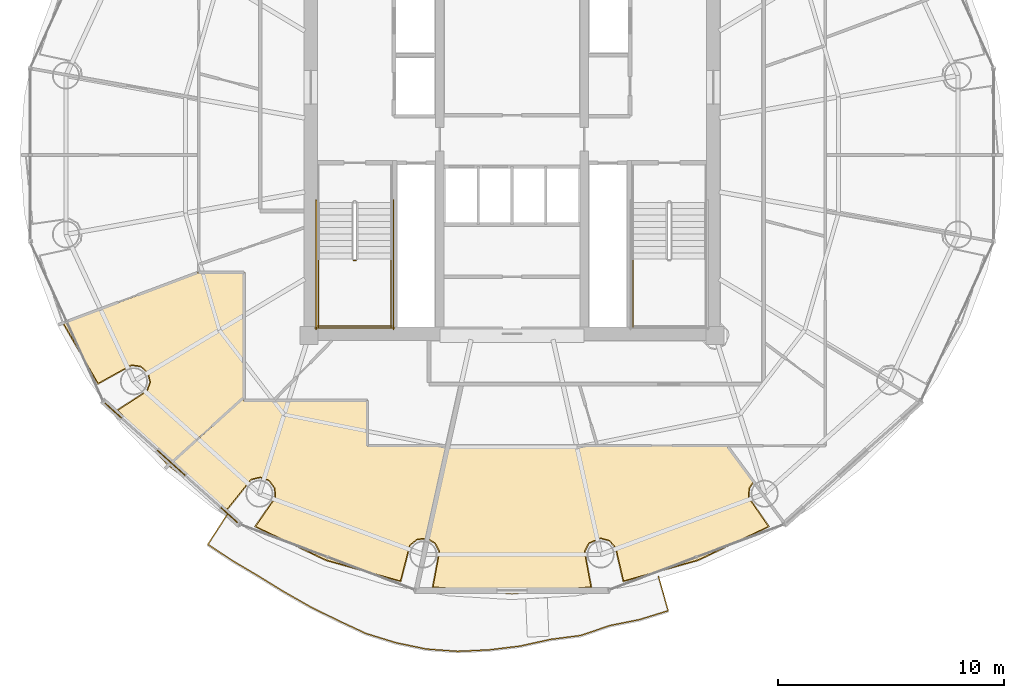
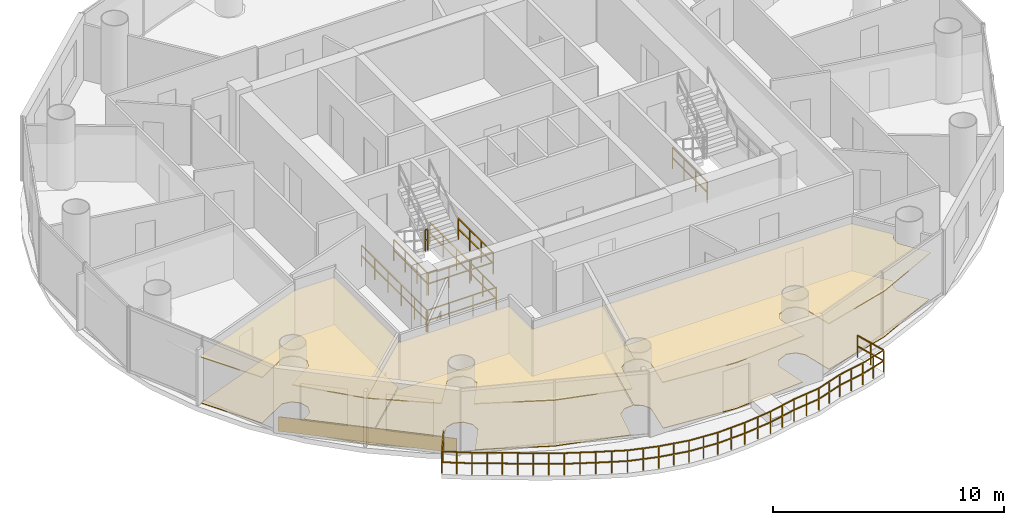
# One storey, part 24 of 26: 9 railings, 7 coverings.
"""IFC4 building model written with IfcOpenShell, lengths in metres."""

from ifc_helpers import new_model, si_unit, direction, frame, origin, origin_2d, place, context, subcontext, project, spatial, polyline, rectangle, outline, extrude, source, transform, mapped, material, layer, layer_set, type_object, element, save


model = new_model("IFC4")

# Units and contexts
model_context = context("Model", 3, precision=1e-05, world=origin(), true_north=direction((-0.2419218956, 0.970295726276)))
body_context = subcontext(model_context, "Body", "Model", "MODEL_VIEW")
ifc_project = project(units=[si_unit("LENGTHUNIT", "METRE"), si_unit("AREAUNIT", "SQUARE_METRE"), si_unit("VOLUMEUNIT", "CUBIC_METRE"), si_unit("PLANEANGLEUNIT", "RADIAN"), si_unit("MASSUNIT", "GRAM", prefix="KILO")], contexts=[model_context])

# Site, building, storey
site_placement = place(None, origin())
site = spatial("IfcSite", under=ifc_project, at=site_placement, CompositionType="ELEMENT")
building_placement = place(site_placement, origin())
building = spatial("IfcBuilding", under=site, at=building_placement, Name="Cobrevalo Terracotta Tower", CompositionType="ELEMENT")
storey_placement = place(building_placement, frame((0.0, 0.0, 224.5)))
storey = spatial("IfcBuildingStorey", under=building, at=storey_placement, Name="L59", CompositionType="ELEMENT", Elevation=224.5)

# Railing
ifc_material_1 = material(Name="Laminated structural glass and stainless steel", Category="steel")
railing_type_1 = type_object("IfcRailingType", Name="Balcony lobe structural glass & terracotta-cap balustrade 1180 mm", PredefinedType="BALUSTRADE", material=ifc_material_1)
railing_1_placement = place(storey_placement, frame((25.388671875, 10.876953125, 0.0)))
element("IfcRailing", 1, at=railing_1_placement, inside=storey, type_object=railing_type_1, Name="L59 spiralling balcony lobe balustrade 2", PredefinedType="BALUSTRADE", context=body_context, shape_type="SweptSolid", body=[
    extrude(rectangle(XDim=0.048095703125, YDim=0.048095703125, at=origin_2d()), frame((0.0, 0.0, 1.15576171875), z_axis=(-0.54343616845, -0.83945049337, 0.0), x_axis=(0.83945049337, -0.54343616845, 0.0)), (0.0, 0.0, 1.0), 1.587646484375),
    extrude(rectangle(XDim=0.048095703125, YDim=0.048095703125, at=origin_2d()), frame((0.0, 0.0, 0.58984375), z_axis=(-0.54343616845, -0.83945049337, 0.0), x_axis=(0.83945049337, -0.54343616845, 0.0)), (0.0, 0.0, 1.0), 1.587646484375),
    extrude(rectangle(XDim=0.048095703125, YDim=0.048095703125, at=origin_2d()), frame((-0.86279296875, -1.332763671875, 1.15576171875), z_axis=(0.833396558679, -0.552675470762, 0.0), x_axis=(0.552675470762, 0.833396558679, 0.0)), (0.0, 0.0, 1.0), 1.308837890625),
    extrude(rectangle(XDim=0.048095703125, YDim=0.048095703125, at=origin_2d()), frame((-0.86279296875, -1.332763671875, 0.58984375), z_axis=(0.833396558679, -0.552675470762, 0.0), x_axis=(0.552675470762, 0.833396558679, 0.0)), (0.0, 0.0, 1.0), 1.308837890625),
    extrude(rectangle(XDim=0.048095703125, YDim=0.048095703125, at=origin_2d()), frame((0.22802734375, -2.05615234375, 1.15576171875), z_axis=(0.861211465936, -0.50824680121, 0.0), x_axis=(0.50824680121, 0.861211465936, 0.0)), (0.0, 0.0, 1.0), 1.312744140625),
    extrude(rectangle(XDim=0.048095703125, YDim=0.048095703125, at=origin_2d()), frame((0.22802734375, -2.05615234375, 0.58984375), z_axis=(0.861211465936, -0.50824680121, 0.0), x_axis=(0.50824680121, 0.861211465936, 0.0)), (0.0, 0.0, 1.0), 1.312744140625),
    extrude(rectangle(XDim=0.048095703125, YDim=0.048095703125, at=origin_2d()), frame((1.358642578125, -2.723388671875, 1.15576171875), z_axis=(0.851062059174, -0.525065111615, 0.0), x_axis=(0.525065111615, 0.851062059174, 0.0)), (0.0, 0.0, 1.0), 1.3369140625),
    extrude(rectangle(XDim=0.048095703125, YDim=0.048095703125, at=origin_2d()), frame((1.358642578125, -2.723388671875, 0.58984375), z_axis=(0.851062059174, -0.525065111615, 0.0), x_axis=(0.525065111615, 0.851062059174, 0.0)), (0.0, 0.0, 1.0), 1.3369140625),
    extrude(rectangle(XDim=0.048095703125, YDim=0.048095703125, at=origin_2d()), frame((2.496337890625, -3.42529296875, 1.15576171875), z_axis=(0.869467171083, -0.493990727047, 0.0), x_axis=(0.493990727047, 0.869467171083, 0.0)), (0.0, 0.0, 1.0), 1.34716796875),
    extrude(rectangle(XDim=0.048095703125, YDim=0.048095703125, at=origin_2d()), frame((2.496337890625, -3.42529296875, 0.58984375), z_axis=(0.869467171083, -0.493990727047, 0.0), x_axis=(0.493990727047, 0.869467171083, 0.0)), (0.0, 0.0, 1.0), 1.34716796875),
    extrude(rectangle(XDim=0.048095703125, YDim=0.048095703125, at=origin_2d()), frame((3.667724609375, -4.0908203125, 1.15576171875), z_axis=(0.896348799978, -0.44334955597, 0.0), x_axis=(0.44334955597, 0.896348799978, 0.0)), (0.0, 0.0, 1.0), 1.3662109375),
    extrude(rectangle(XDim=0.048095703125, YDim=0.048095703125, at=origin_2d()), frame((3.667724609375, -4.0908203125, 0.58984375), z_axis=(0.896348799978, -0.44334955597, 0.0), x_axis=(0.44334955597, 0.896348799978, 0.0)), (0.0, 0.0, 1.0), 1.3662109375),
    extrude(rectangle(XDim=0.048095703125, YDim=0.048095703125, at=origin_2d()), frame((4.892333984375, -4.696533203125, 1.15576171875), z_axis=(0.906309377136, -0.422614851746, 0.0), x_axis=(0.422614851746, 0.906309377136, 0.0)), (0.0, 0.0, 1.0), 1.383056640625),
    extrude(rectangle(XDim=0.048095703125, YDim=0.048095703125, at=origin_2d()), frame((4.892333984375, -4.696533203125, 0.58984375), z_axis=(0.906309377136, -0.422614851746, 0.0), x_axis=(0.422614851746, 0.906309377136, 0.0)), (0.0, 0.0, 1.0), 1.383056640625),
    extrude(rectangle(XDim=0.048095703125, YDim=0.048095703125, at=origin_2d()), frame((6.145751953125, -5.281005859375, 1.15576171875), z_axis=(0.955580125331, -0.294731443982, 0.0), x_axis=(0.294731443982, 0.955580125331, 0.0)), (0.0, 0.0, 1.0), 1.381591796875),
    extrude(rectangle(XDim=0.048095703125, YDim=0.048095703125, at=origin_2d()), frame((6.145751953125, -5.281005859375, 0.58984375), z_axis=(0.955580125331, -0.294731443982, 0.0), x_axis=(0.294731443982, 0.955580125331, 0.0)), (0.0, 0.0, 1.0), 1.381591796875),
    extrude(rectangle(XDim=0.048095703125, YDim=0.048095703125, at=origin_2d()), frame((7.466064453125, -5.688232421875, 1.15576171875), z_axis=(0.979033162565, -0.203700924393, 0.0), x_axis=(0.203700924393, 0.979033162565, 0.0)), (0.0, 0.0, 1.0), 1.385498046875),
    extrude(rectangle(XDim=0.048095703125, YDim=0.048095703125, at=origin_2d()), frame((7.466064453125, -5.688232421875, 0.58984375), z_axis=(0.979033162565, -0.203700924393, 0.0), x_axis=(0.203700924393, 0.979033162565, 0.0)), (0.0, 0.0, 1.0), 1.385498046875),
    extrude(rectangle(XDim=0.048095703125, YDim=0.048095703125, at=origin_2d()), frame((8.822509765625, -5.970458984375, 1.15576171875), z_axis=(0.997397487821, -0.072098899349, 0.0), x_axis=(0.072098899349, 0.997397487821, 0.0)), (0.0, 0.0, 1.0), 1.385009765625),
    extrude(rectangle(XDim=0.048095703125, YDim=0.048095703125, at=origin_2d()), frame((8.822509765625, -5.970458984375, 0.58984375), z_axis=(0.997397487821, -0.072098899349, 0.0), x_axis=(0.072098899349, 0.997397487821, 0.0)), (0.0, 0.0, 1.0), 1.385009765625),
    extrude(rectangle(XDim=0.048095703125, YDim=0.048095703125, at=origin_2d()), frame((10.203857421875, -6.0703125, 1.15576171875), z_axis=(0.99890868524, 0.046705872785, 0.0), x_axis=(-0.046705872785, 0.99890868524, 0.0)), (0.0, 0.0, 1.0), 1.390380859375),
    extrude(rectangle(XDim=0.048095703125, YDim=0.048095703125, at=origin_2d()), frame((10.203857421875, -6.0703125, 0.58984375), z_axis=(0.99890868524, 0.046705872785, 0.0), x_axis=(-0.046705872785, 0.99890868524, 0.0)), (0.0, 0.0, 1.0), 1.390380859375),
    extrude(rectangle(XDim=0.048095703125, YDim=0.048095703125, at=origin_2d()), frame((11.5927734375, -6.00537109375, 1.15576171875), z_axis=(0.992663972175, 0.120905906995, 0.0), x_axis=(-0.120905906995, 0.992663972175, 0.0)), (0.0, 0.0, 1.0), 1.38330078125),
    extrude(rectangle(XDim=0.048095703125, YDim=0.048095703125, at=origin_2d()), frame((11.5927734375, -6.00537109375, 0.58984375), z_axis=(0.992663972175, 0.120905906995, 0.0), x_axis=(-0.120905906995, 0.992663972175, 0.0)), (0.0, 0.0, 1.0), 1.38330078125),
    extrude(rectangle(XDim=0.048095703125, YDim=0.048095703125, at=origin_2d()), frame((12.9658203125, -5.838134765625, 1.15576171875), z_axis=(0.976608889753, 0.215023432342, 0.0), x_axis=(-0.215023432342, 0.976608889753, 0.0)), (0.0, 0.0, 1.0), 1.3828125),
    extrude(rectangle(XDim=0.048095703125, YDim=0.048095703125, at=origin_2d()), frame((12.9658203125, -5.838134765625, 0.58984375), z_axis=(0.976608889753, 0.215023432342, 0.0), x_axis=(-0.215023432342, 0.976608889753, 0.0)), (0.0, 0.0, 1.0), 1.3828125),
    extrude(rectangle(XDim=0.048095703125, YDim=0.048095703125, at=origin_2d()), frame((14.31640625, -5.540771484375, 1.15576171875), z_axis=(0.991698674342, 0.128583588799, 0.0), x_axis=(-0.128583588799, 0.991698674342, 0.0)), (0.0, 0.0, 1.0), 1.353759765625),
    extrude(rectangle(XDim=0.048095703125, YDim=0.048095703125, at=origin_2d()), frame((14.31640625, -5.540771484375, 0.58984375), z_axis=(0.991698674342, 0.128583588799, 0.0), x_axis=(-0.128583588799, 0.991698674342, 0.0)), (0.0, 0.0, 1.0), 1.353759765625),
    extrude(rectangle(XDim=0.048095703125, YDim=0.048095703125, at=origin_2d()), frame((15.658935546875, -5.36669921875, 1.15576171875), z_axis=(0.946459249319, 0.322823309845, 0.0), x_axis=(-0.322823309845, 0.946459249319, 0.0)), (0.0, 0.0, 1.0), 1.3642578125),
    extrude(rectangle(XDim=0.048095703125, YDim=0.048095703125, at=origin_2d()), frame((15.658935546875, -5.36669921875, 0.58984375), z_axis=(0.946459249319, 0.322823309845, 0.0), x_axis=(-0.322823309845, 0.946459249319, 0.0)), (0.0, 0.0, 1.0), 1.3642578125),
    extrude(rectangle(XDim=0.048095703125, YDim=0.048095703125, at=origin_2d()), frame((16.9501953125, -4.92626953125, 1.15576171875), z_axis=(0.98051737276, 0.196432384591, 0.0), x_axis=(-0.196432384591, 0.98051737276, 0.0)), (0.0, 0.0, 1.0), 1.336181640625),
    extrude(rectangle(XDim=0.048095703125, YDim=0.048095703125, at=origin_2d()), frame((16.9501953125, -4.92626953125, 0.58984375), z_axis=(0.98051737276, 0.196432384591, 0.0), x_axis=(-0.196432384591, 0.98051737276, 0.0)), (0.0, 0.0, 1.0), 1.336181640625),
    extrude(rectangle(XDim=0.048095703125, YDim=0.048095703125, at=origin_2d()), frame((18.26025390625, -4.663818359375, 1.15576171875), z_axis=(0.955604077324, 0.294653775476, 0.0), x_axis=(-0.294653775476, 0.955604077324, 0.0)), (0.0, 0.0, 1.0), 1.3291015625),
    extrude(rectangle(XDim=0.048095703125, YDim=0.048095703125, at=origin_2d()), frame((18.26025390625, -4.663818359375, 0.58984375), z_axis=(0.955604077324, 0.294653775476, 0.0), x_axis=(-0.294653775476, 0.955604077324, 0.0)), (0.0, 0.0, 1.0), 1.3291015625),
    extrude(rectangle(XDim=0.048095703125, YDim=0.048095703125, at=origin_2d()), frame((19.5302734375, -4.272216796875, 1.15576171875), z_axis=(-0.273210469016, 0.961954281461, 0.0), x_axis=(-0.961954281461, -0.273210469016, 0.0)), (0.0, 0.0, 1.0), 1.579833984375),
    extrude(rectangle(XDim=0.048095703125, YDim=0.048095703125, at=origin_2d()), frame((19.5302734375, -4.272216796875, 0.58984375), z_axis=(-0.273210469016, 0.961954281461, 0.0), x_axis=(-0.961954281461, -0.273210469016, 0.0)), (0.0, 0.0, 1.0), 1.579833984375),
    extrude(rectangle(XDim=0.0419921875, YDim=0.0419921875, at=origin_2d()), origin(), (0.0, 0.0, 1.0), 1.1318359375),
    extrude(rectangle(XDim=0.0419921875, YDim=0.0419921875, at=origin_2d()), frame((-0.431396484375, -0.66650390625, 0.0)), (0.0, 0.0, 1.0), 1.1318359375),
    extrude(rectangle(XDim=0.0419921875, YDim=0.0419921875, at=origin_2d()), frame((-0.86279296875, -1.332763671875, 0.0)), (0.0, 0.0, 1.0), 1.1318359375),
    extrude(rectangle(XDim=0.0419921875, YDim=0.0419921875, at=origin_2d()), frame((-0.3173828125, -1.6943359375, 0.0)), (0.0, 0.0, 1.0), 1.1318359375),
    extrude(rectangle(XDim=0.0419921875, YDim=0.0419921875, at=origin_2d()), frame((0.22802734375, -2.05615234375, 0.0)), (0.0, 0.0, 1.0), 1.1318359375),
    extrude(rectangle(XDim=0.0419921875, YDim=0.0419921875, at=origin_2d()), frame((0.79345703125, -2.3896484375, 0.0)), (0.0, 0.0, 1.0), 1.1318359375),
    extrude(rectangle(XDim=0.0419921875, YDim=0.0419921875, at=origin_2d()), frame((1.358642578125, -2.723388671875, 0.0)), (0.0, 0.0, 1.0), 1.1318359375),
    extrude(rectangle(XDim=0.0419921875, YDim=0.0419921875, at=origin_2d()), frame((1.927490234375, -3.07421875, 0.0)), (0.0, 0.0, 1.0), 1.1318359375),
    extrude(rectangle(XDim=0.0419921875, YDim=0.0419921875, at=origin_2d()), frame((2.496337890625, -3.42529296875, 0.0)), (0.0, 0.0, 1.0), 1.1318359375),
    extrude(rectangle(XDim=0.0419921875, YDim=0.0419921875, at=origin_2d()), frame((3.08203125, -3.758056640625, 0.0)), (0.0, 0.0, 1.0), 1.1318359375),
    extrude(rectangle(XDim=0.0419921875, YDim=0.0419921875, at=origin_2d()), frame((3.667724609375, -4.0908203125, 0.0)), (0.0, 0.0, 1.0), 1.1318359375),
    extrude(rectangle(XDim=0.0419921875, YDim=0.0419921875, at=origin_2d()), frame((4.280029296875, -4.3935546875, 0.0)), (0.0, 0.0, 1.0), 1.1318359375),
    extrude(rectangle(XDim=0.0419921875, YDim=0.0419921875, at=origin_2d()), frame((4.892333984375, -4.696533203125, 0.0)), (0.0, 0.0, 1.0), 1.1318359375),
    extrude(rectangle(XDim=0.0419921875, YDim=0.0419921875, at=origin_2d()), frame((5.51904296875, -4.98876953125, 0.0)), (0.0, 0.0, 1.0), 1.1318359375),
    extrude(rectangle(XDim=0.0419921875, YDim=0.0419921875, at=origin_2d()), frame((6.145751953125, -5.281005859375, 0.0)), (0.0, 0.0, 1.0), 1.1318359375),
    extrude(rectangle(XDim=0.0419921875, YDim=0.0419921875, at=origin_2d()), frame((6.805908203125, -5.484619140625, 0.0)), (0.0, 0.0, 1.0), 1.1318359375),
    extrude(rectangle(XDim=0.0419921875, YDim=0.0419921875, at=origin_2d()), frame((7.466064453125, -5.688232421875, 0.0)), (0.0, 0.0, 1.0), 1.1318359375),
    extrude(rectangle(XDim=0.0419921875, YDim=0.0419921875, at=origin_2d()), frame((8.144287109375, -5.829345703125, 0.0)), (0.0, 0.0, 1.0), 1.1318359375),
    extrude(rectangle(XDim=0.0419921875, YDim=0.0419921875, at=origin_2d()), frame((8.822509765625, -5.970458984375, 0.0)), (0.0, 0.0, 1.0), 1.1318359375),
    extrude(rectangle(XDim=0.0419921875, YDim=0.0419921875, at=origin_2d()), frame((9.51318359375, -6.0205078125, 0.0)), (0.0, 0.0, 1.0), 1.1318359375),
    extrude(rectangle(XDim=0.0419921875, YDim=0.0419921875, at=origin_2d()), frame((10.203857421875, -6.0703125, 0.0)), (0.0, 0.0, 1.0), 1.1318359375),
    extrude(rectangle(XDim=0.0419921875, YDim=0.0419921875, at=origin_2d()), frame((10.8984375, -6.037841796875, 0.0)), (0.0, 0.0, 1.0), 1.1318359375),
    extrude(rectangle(XDim=0.0419921875, YDim=0.0419921875, at=origin_2d()), frame((11.5927734375, -6.00537109375, 0.0)), (0.0, 0.0, 1.0), 1.1318359375),
    extrude(rectangle(XDim=0.0419921875, YDim=0.0419921875, at=origin_2d()), frame((12.279296875, -5.921875, 0.0)), (0.0, 0.0, 1.0), 1.1318359375),
    extrude(rectangle(XDim=0.0419921875, YDim=0.0419921875, at=origin_2d()), frame((12.9658203125, -5.838134765625, 0.0)), (0.0, 0.0, 1.0), 1.1318359375),
    extrude(rectangle(XDim=0.0419921875, YDim=0.0419921875, at=origin_2d()), frame((13.64111328125, -5.689453125, 0.0)), (0.0, 0.0, 1.0), 1.1318359375),
    extrude(rectangle(XDim=0.0419921875, YDim=0.0419921875, at=origin_2d()), frame((14.31640625, -5.540771484375, 0.0)), (0.0, 0.0, 1.0), 1.1318359375),
    extrude(rectangle(XDim=0.0419921875, YDim=0.0419921875, at=origin_2d()), frame((14.98779296875, -5.45361328125, 0.0)), (0.0, 0.0, 1.0), 1.1318359375),
    extrude(rectangle(XDim=0.0419921875, YDim=0.0419921875, at=origin_2d()), frame((15.658935546875, -5.36669921875, 0.0)), (0.0, 0.0, 1.0), 1.1318359375),
    extrude(rectangle(XDim=0.0419921875, YDim=0.0419921875, at=origin_2d()), frame((16.3046875, -5.146484375, 0.0)), (0.0, 0.0, 1.0), 1.1318359375),
    extrude(rectangle(XDim=0.0419921875, YDim=0.0419921875, at=origin_2d()), frame((16.9501953125, -4.92626953125, 0.0)), (0.0, 0.0, 1.0), 1.1318359375),
    extrude(rectangle(XDim=0.0419921875, YDim=0.0419921875, at=origin_2d()), frame((17.605224609375, -4.794921875, 0.0)), (0.0, 0.0, 1.0), 1.1318359375),
    extrude(rectangle(XDim=0.0419921875, YDim=0.0419921875, at=origin_2d()), frame((18.26025390625, -4.663818359375, 0.0)), (0.0, 0.0, 1.0), 1.1318359375),
    extrude(rectangle(XDim=0.0419921875, YDim=0.0419921875, at=origin_2d()), frame((18.895263671875, -4.468017578125, 0.0)), (0.0, 0.0, 1.0), 1.1318359375),
    extrude(rectangle(XDim=0.0419921875, YDim=0.0419921875, at=origin_2d()), frame((19.5302734375, -4.272216796875, 0.0)), (0.0, 0.0, 1.0), 1.1318359375),
    extrude(rectangle(XDim=0.0419921875, YDim=0.0419921875, at=origin_2d()), frame((19.314453125, -3.51220703125, 0.0)), (0.0, 0.0, 1.0), 1.1318359375),
    extrude(rectangle(XDim=0.0419921875, YDim=0.0419921875, at=origin_2d()), frame((19.0986328125, -2.75244140625, 0.0)), (0.0, 0.0, 1.0), 1.1318359375),
])

# Coverings
ifc_material_2 = material(Name="Engineered Brazilian hardwood flooring", Category="wood")
ifc_layer_1 = layer(ifc_material_2, 0.028076171875)
ifc_layer_set_1 = layer_set([ifc_layer_1], Name="Engineered Brazilian hardwood flooring")
covering_type_1 = type_object("IfcCoveringType", Name="Engineered Hardwood Suite Flooring 28", PredefinedType="FLOORING", material=ifc_layer_set_1)
covering_1_placement = place(storey_placement, origin())
element("IfcCovering", 2, at=covering_1_placement, inside=storey, type_object=covering_type_1, Name="Flat L59A Penthouse Family Lounge floor finish", PredefinedType="FLOORING", context=body_context, shape_type="SweptSolid", body=[
    extrude(outline(polyline([(22.779052734375, 13.072265625), (20.546875, 15.4912109375), (21.840087890625, 16.330810546875), (21.985107421875, 16.735107421875), (21.880859375, 17.152099609375), (21.562744140625, 17.44091796875), (21.1376953125, 17.504150390625), (19.662109375, 16.6865234375), (18.132568359375, 19.342041015625), (24.094970703125, 21.57373046875), (26.10498046875, 21.570068359375), (26.10498046875, 16.077880859375), (22.779052734375, 13.072265625)])), origin(), (0.0, 0.0, 1.0), 0.030029296875),
])
covering_2_placement = place(storey_placement, origin())
element("IfcCovering", 3, at=covering_2_placement, inside=storey, type_object=covering_type_1, Name="Flat L59A Private Cinema Room floor finish", PredefinedType="FLOORING", context=body_context, shape_type="SweptSolid", body=[
    extrude(outline(polyline([(26.6455078125, 10.34033203125), (27.522705078125, 11.610107421875), (27.502685546875, 12.039306640625), (27.247802734375, 12.38525390625), (26.843505859375, 12.531005859375), (26.426513671875, 12.427734375), (25.3720703125, 11.108154296875), (22.810302734375, 13.046630859375), (26.10498046875, 16.02392578125), (26.10498046875, 15.905029296875), (31.570068359375, 15.905029296875), (31.570068359375, 13.89501953125), (35.138916015625, 13.89501953125), (34.240234375, 9.812255859375), (33.801025390625, 9.78662109375), (33.462890625, 9.521484375), (33.0517578125, 7.93017578125), (29.763916015625, 8.858642578125), (26.6455078125, 10.34033203125)])), origin(), (0.0, 0.0, 1.0), 0.030029296875),
])
covering_3_placement = place(storey_placement, origin())
element("IfcCovering", 4, at=covering_3_placement, inside=storey, type_object=covering_type_1, Name="Flat L59B Living and Dining Room floor finish", PredefinedType="FLOORING", context=body_context, shape_type="SweptSolid", body=[
    extrude(outline(polyline([(46.236083984375, 8.858642578125), (42.9482421875, 7.93017578125), (42.6083984375, 9.39501953125), (42.32861328125, 9.72119140625), (41.91455078125, 9.836669921875), (41.396240234375, 9.6083984375), (41.2021484375, 9.22509765625), (41.490234375, 7.66845703125), (38.0, 7.380126953125), (34.509765625, 7.66845703125), (34.7978515625, 9.22509765625), (34.603759765625, 9.6083984375), (34.279052734375, 9.802978515625), (35.179931640625, 13.89501953125), (47.51708984375, 13.89501953125), (48.681396484375, 12.320556640625), (48.497314453125, 12.039306640625), (48.477294921875, 11.610107421875), (49.3544921875, 10.34033203125), (46.236083984375, 8.858642578125)])), origin(), (0.0, 0.0, 1.0), 0.030029296875),
])
ifc_material_3 = material(Name="Acoustic perforated gypsum ceiling", Category="gypsum")
ifc_layer_2 = layer(ifc_material_3, 0.050048828125)
ifc_layer_set_2 = layer_set([ifc_layer_2], Name="Acoustic perforated gypsum ceiling")
covering_type_2 = type_object("IfcCoveringType", Name="Perforated Acoustic Gypsum Ceiling 50", PredefinedType="CEILING", material=ifc_layer_set_2)
covering_4_placement = place(storey_placement, frame((0.0, 0.0, 2.445068359375)))
element("IfcCovering", 5, at=covering_4_placement, inside=storey, type_object=covering_type_2, Name="Flat L59A Penthouse Family Lounge acoustic ceiling", PredefinedType="CEILING", context=body_context, shape_type="SweptSolid", body=[
    extrude(outline(polyline([(22.77685546875, 13.009765625), (20.481201171875, 15.50439453125), (21.8037109375, 16.357666015625), (21.93994140625, 16.737548828125), (21.842041015625, 17.12890625), (21.54345703125, 17.39990234375), (21.144287109375, 17.45947265625), (19.650146484375, 16.626953125), (18.068115234375, 19.365966796875), (24.139892578125, 21.638671875), (26.14990234375, 21.614990234375), (26.14990234375, 16.057861328125), (22.77685546875, 13.009765625)])), origin(), (0.0, 0.0, 1.0), 0.050048828125),
])
covering_5_placement = place(storey_placement, frame((0.0, 0.0, 2.445068359375)))
element("IfcCovering", 6, at=covering_5_placement, inside=storey, type_object=covering_type_2, Name="Flat L59A Private Cinema Room acoustic ceiling", PredefinedType="CEILING", context=body_context, shape_type="SweptSolid", body=[
    extrude(outline(polyline([(26.579833984375, 10.327392578125), (27.478759765625, 11.621337890625), (27.460205078125, 12.024169921875), (27.220703125, 12.348876953125), (26.84130859375, 12.48583984375), (26.44970703125, 12.388916015625), (25.3837890625, 11.048583984375), (22.74072265625, 13.044189453125), (26.14990234375, 16.125244140625), (26.14990234375, 15.949951171875), (31.614990234375, 15.949951171875), (31.614990234375, 13.93994140625), (35.19482421875, 13.93994140625), (34.275146484375, 9.76123046875), (33.8173828125, 9.74462890625), (33.499755859375, 9.49560546875), (33.08642578125, 7.878173828125), (29.748291015625, 8.81640625), (26.579833984375, 10.327392578125)])), origin(), (0.0, 0.0, 1.0), 0.050048828125),
])
covering_6_placement = place(storey_placement, frame((0.0, 0.0, 2.445068359375)))
element("IfcCovering", 7, at=covering_6_placement, inside=storey, type_object=covering_type_2, Name="Flat L59B Living and Dining Room acoustic ceiling", PredefinedType="CEILING", context=body_context, shape_type="SweptSolid", body=[
    extrude(outline(polyline([(46.251708984375, 8.81640625), (42.91357421875, 7.878173828125), (42.56689453125, 9.376953125), (42.30419921875, 9.68310546875), (41.915771484375, 9.79150390625), (41.428955078125, 9.5771484375), (41.246826171875, 9.21728515625), (41.544189453125, 7.632568359375), (38.0, 7.3349609375), (34.455810546875, 7.632568359375), (34.753173828125, 9.21728515625), (34.571044921875, 9.5771484375), (34.2265625, 9.77294921875), (35.143798828125, 13.93994140625), (47.539794921875, 13.93994140625), (48.74169921875, 12.314697265625), (48.539794921875, 12.024169921875), (48.521240234375, 11.621337890625), (49.420166015625, 10.327392578125), (46.251708984375, 8.81640625)])), origin(), (0.0, 0.0, 1.0), 0.050048828125),
])

# Railings
ifc_material_4 = material(Name="Painted galvanized steel", Category="steel")
railing_type_2 = type_object("IfcRailingType", Name="Stair Well Guard Balustrade 1150", PredefinedType="GUARDRAIL", material=ifc_material_4)
railing_2_placement = place(storey_placement, frame((30.97509765625, 22.1298828125, 1.85009765625)))
element("IfcRailing", 8, at=railing_2_placement, inside=storey, type_object=railing_type_2, Name="L59 ST-1 stair guard 2", PredefinedType="GUARDRAIL", context=body_context, shape_type="SweptSolid", body=[
    extrude(rectangle(XDim=0.048095703125, YDim=0.048095703125, at=origin_2d()), frame((0.0, 0.0, 1.1259765625), z_axis=(1.0, 0.0, 0.0), x_axis=(0.0, 1.0, 0.0)), (0.0, 0.0, 1.0), 0.119873046875),
    extrude(rectangle(XDim=0.048095703125, YDim=0.048095703125, at=origin_2d()), frame((0.0, 0.0, 0.574951171875), z_axis=(1.0, 0.0, 0.0), x_axis=(0.0, 1.0, 0.0)), (0.0, 0.0, 1.0), 0.119873046875),
    extrude(rectangle(XDim=0.0419921875, YDim=0.0419921875, at=origin_2d()), origin(), (0.0, 0.0, 1.0), 1.101806640625),
    extrude(rectangle(XDim=0.0419921875, YDim=0.0419921875, at=origin_2d()), frame((0.119873046875, 0.0, 0.0)), (0.0, 0.0, 1.0), 1.101806640625),
])
for number, where, name in (
    (9, (29.425048828125, 22.179931640625, 1.85009765625), "L59 ST-1 stair guard 3"),
    (10, (32.64501953125, 22.179931640625, 1.85009765625), "L59 ST-1 stair guard 4"),
):
    element("IfcRailing", number, at=place(storey_placement, frame(where)), inside=storey, type_object=railing_type_2, Name=name, PredefinedType="GUARDRAIL", context=body_context, shape_type="SweptSolid", body=[
        extrude(rectangle(XDim=0.048095703125, YDim=0.048095703125, at=origin_2d()), frame((0.0, 0.0, 1.1259765625), z_axis=(0.0, -1.0, 0.0), x_axis=(1.0, 0.0, 0.0)), (0.0, 0.0, 1.0), 3.0048828125),
        extrude(rectangle(XDim=0.048095703125, YDim=0.048095703125, at=origin_2d()), frame((0.0, 0.0, 0.574951171875), z_axis=(0.0, -1.0, 0.0), x_axis=(1.0, 0.0, 0.0)), (0.0, 0.0, 1.0), 3.0048828125),
        extrude(rectangle(XDim=0.0419921875, YDim=0.0419921875, at=origin_2d()), origin(), (0.0, 0.0, 1.0), 1.101806640625),
        extrude(rectangle(XDim=0.0419921875, YDim=0.0419921875, at=origin_2d()), frame((0.0, -1.001708984375, 0.0)), (0.0, 0.0, 1.0), 1.101806640625),
        extrude(rectangle(XDim=0.0419921875, YDim=0.0419921875, at=origin_2d()), frame((0.0, -2.003173828125, 0.0)), (0.0, 0.0, 1.0), 1.101806640625),
        extrude(rectangle(XDim=0.0419921875, YDim=0.0419921875, at=origin_2d()), frame((0.0, -3.0048828125, 0.0)), (0.0, 0.0, 1.0), 1.101806640625),
    ])
railing_3_placement = place(storey_placement, frame((29.375, 19.22509765625, 1.85009765625)))
element("IfcRailing", 11, at=railing_3_placement, inside=storey, type_object=railing_type_2, Name="L59 ST-1 stair guard 5", PredefinedType="GUARDRAIL", context=body_context, shape_type="SweptSolid", body=[
    extrude(rectangle(XDim=0.048095703125, YDim=0.048095703125, at=origin_2d()), frame((0.0, 0.0, 1.1259765625), z_axis=(1.0, 0.0, 0.0), x_axis=(0.0, 1.0, 0.0)), (0.0, 0.0, 1.0), 3.320068359375),
    extrude(rectangle(XDim=0.048095703125, YDim=0.048095703125, at=origin_2d()), frame((0.0, 0.0, 0.574951171875), z_axis=(1.0, 0.0, 0.0), x_axis=(0.0, 1.0, 0.0)), (0.0, 0.0, 1.0), 3.320068359375),
    extrude(rectangle(XDim=0.0419921875, YDim=0.0419921875, at=origin_2d()), origin(), (0.0, 0.0, 1.0), 1.101806640625),
    extrude(rectangle(XDim=0.0419921875, YDim=0.0419921875, at=origin_2d()), frame((1.106689453125, 0.0, 0.0)), (0.0, 0.0, 1.0), 1.101806640625),
    extrude(rectangle(XDim=0.0419921875, YDim=0.0419921875, at=origin_2d()), frame((2.21337890625, 0.0, 0.0)), (0.0, 0.0, 1.0), 1.101806640625),
    extrude(rectangle(XDim=0.0419921875, YDim=0.0419921875, at=origin_2d()), frame((3.320068359375, 0.0, 0.0)), (0.0, 0.0, 1.0), 1.101806640625),
])
for number, where, name in (
    (12, (29.324951171875, 24.800048828125, 0.0), "L59 ST-1 stair guard 10"),
    (13, (32.7451171875, 24.800048828125, 0.0), "L59 ST-1 stair guard 11"),
):
    element("IfcRailing", number, at=place(storey_placement, frame(where)), inside=storey, type_object=railing_type_2, Name=name, PredefinedType="GUARDRAIL", context=body_context, shape_type="SweptSolid", body=[
        extrude(rectangle(XDim=0.048095703125, YDim=0.048095703125, at=origin_2d()), frame((0.0, 0.0, 1.1259765625), z_axis=(0.0, -1.0, 0.0), x_axis=(1.0, 0.0, 0.0)), (0.0, 0.0, 1.0), 5.72509765625),
        extrude(rectangle(XDim=0.048095703125, YDim=0.048095703125, at=origin_2d()), frame((0.0, 0.0, 0.574951171875), z_axis=(0.0, -1.0, 0.0), x_axis=(1.0, 0.0, 0.0)), (0.0, 0.0, 1.0), 5.72509765625),
        extrude(rectangle(XDim=0.0419921875, YDim=0.0419921875, at=origin_2d()), origin(), (0.0, 0.0, 1.0), 1.101806640625),
        extrude(rectangle(XDim=0.0419921875, YDim=0.0419921875, at=origin_2d()), frame((0.0, -1.14501953125, 0.0)), (0.0, 0.0, 1.0), 1.101806640625),
        extrude(rectangle(XDim=0.0419921875, YDim=0.0419921875, at=origin_2d()), frame((0.0, -2.2900390625, 0.0)), (0.0, 0.0, 1.0), 1.101806640625),
        extrude(rectangle(XDim=0.0419921875, YDim=0.0419921875, at=origin_2d()), frame((0.0, -3.43505859375, 0.0)), (0.0, 0.0, 1.0), 1.101806640625),
        extrude(rectangle(XDim=0.0419921875, YDim=0.0419921875, at=origin_2d()), frame((0.0, -4.580078125, 0.0)), (0.0, 0.0, 1.0), 1.101806640625),
        extrude(rectangle(XDim=0.0419921875, YDim=0.0419921875, at=origin_2d()), frame((0.0, -5.72509765625, 0.0)), (0.0, 0.0, 1.0), 1.101806640625),
    ])
railing_4_placement = place(storey_placement, frame((29.27490234375, 19.125, 0.0)))
element("IfcRailing", 14, at=railing_4_placement, inside=storey, type_object=railing_type_2, Name="L59 ST-1 stair guard 12", PredefinedType="GUARDRAIL", context=body_context, shape_type="SweptSolid", body=[
    extrude(rectangle(XDim=0.048095703125, YDim=0.048095703125, at=origin_2d()), frame((0.0, 0.0, 1.1259765625), z_axis=(1.0, 0.0, 0.0), x_axis=(0.0, 1.0, 0.0)), (0.0, 0.0, 1.0), 3.52001953125),
    extrude(rectangle(XDim=0.048095703125, YDim=0.048095703125, at=origin_2d()), frame((0.0, 0.0, 0.574951171875), z_axis=(1.0, 0.0, 0.0), x_axis=(0.0, 1.0, 0.0)), (0.0, 0.0, 1.0), 3.52001953125),
    extrude(rectangle(XDim=0.0419921875, YDim=0.0419921875, at=origin_2d()), origin(), (0.0, 0.0, 1.0), 1.101806640625),
    extrude(rectangle(XDim=0.0419921875, YDim=0.0419921875, at=origin_2d()), frame((1.17333984375, 0.0, 0.0)), (0.0, 0.0, 1.0), 1.101806640625),
    extrude(rectangle(XDim=0.0419921875, YDim=0.0419921875, at=origin_2d()), frame((2.3466796875, 0.0, 0.0)), (0.0, 0.0, 1.0), 1.101806640625),
    extrude(rectangle(XDim=0.0419921875, YDim=0.0419921875, at=origin_2d()), frame((3.52001953125, 0.0, 0.0)), (0.0, 0.0, 1.0), 1.101806640625),
])
railing_5_placement = place(storey_placement, frame((43.35498046875, 22.179931640625, 1.85009765625)))
element("IfcRailing", 15, at=railing_5_placement, inside=storey, type_object=railing_type_2, Name="L59 ST-2 stair guard 3", PredefinedType="GUARDRAIL", context=body_context, shape_type="SweptSolid", body=[
    extrude(rectangle(XDim=0.048095703125, YDim=0.048095703125, at=origin_2d()), frame((0.0, 0.0, 1.1259765625), z_axis=(0.0, -1.0, 0.0), x_axis=(1.0, 0.0, 0.0)), (0.0, 0.0, 1.0), 3.0048828125),
    extrude(rectangle(XDim=0.048095703125, YDim=0.048095703125, at=origin_2d()), frame((0.0, 0.0, 0.574951171875), z_axis=(0.0, -1.0, 0.0), x_axis=(1.0, 0.0, 0.0)), (0.0, 0.0, 1.0), 3.0048828125),
    extrude(rectangle(XDim=0.0419921875, YDim=0.0419921875, at=origin_2d()), origin(), (0.0, 0.0, 1.0), 1.101806640625),
    extrude(rectangle(XDim=0.0419921875, YDim=0.0419921875, at=origin_2d()), frame((0.0, -1.001708984375, 0.0)), (0.0, 0.0, 1.0), 1.101806640625),
    extrude(rectangle(XDim=0.0419921875, YDim=0.0419921875, at=origin_2d()), frame((0.0, -2.003173828125, 0.0)), (0.0, 0.0, 1.0), 1.101806640625),
    extrude(rectangle(XDim=0.0419921875, YDim=0.0419921875, at=origin_2d()), frame((0.0, -3.0048828125, 0.0)), (0.0, 0.0, 1.0), 1.101806640625),
])

# Covering
ifc_material_5 = material(Name="Glazed terracotta facade cladding tile", Category="masonry")
ifc_layer_3 = layer(ifc_material_5, 0.044921875)
ifc_layer_set_3 = layer_set([ifc_layer_3], Name="Glazed terracotta facade cladding tile")
covering_type_3 = type_object("IfcCoveringType", Name="Architectural terracotta rainscreen spandrel cladding 45 mm", PredefinedType="CLADDING", material=ifc_layer_set_3)
shared_shape = source(origin(), body_context, "Body", "SweptSolid", [
    extrude(rectangle(XDim=7.89501953125, YDim=0.044921875, at=origin_2d()), origin(), (0.0, 0.0, 1.0), 0.760009765625),
])
covering_7_placement = place(storey_placement, frame((22.902099609375, 13.158447265625, 0.0400390625), z_axis=(0.0, 0.0, 1.0), x_axis=(0.741987542015, -0.670413668935, 0.0)))
element("IfcCovering", 16, at=covering_7_placement, inside=storey, type_object=covering_type_3, Name="L59 terracotta spandrel cladding S10", PredefinedType="CLADDING", context=body_context, shape_type="MappedRepresentation", body=[
    mapped(shared_shape, transform((0.0, 0.0, 0.0), scale=1.0)),
])

save(model, "model.ifc")
